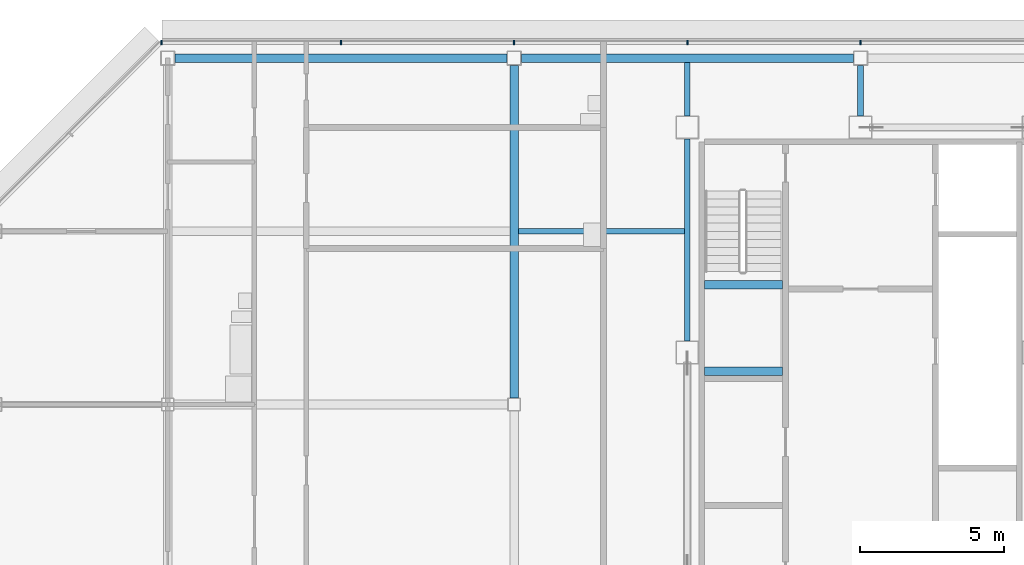
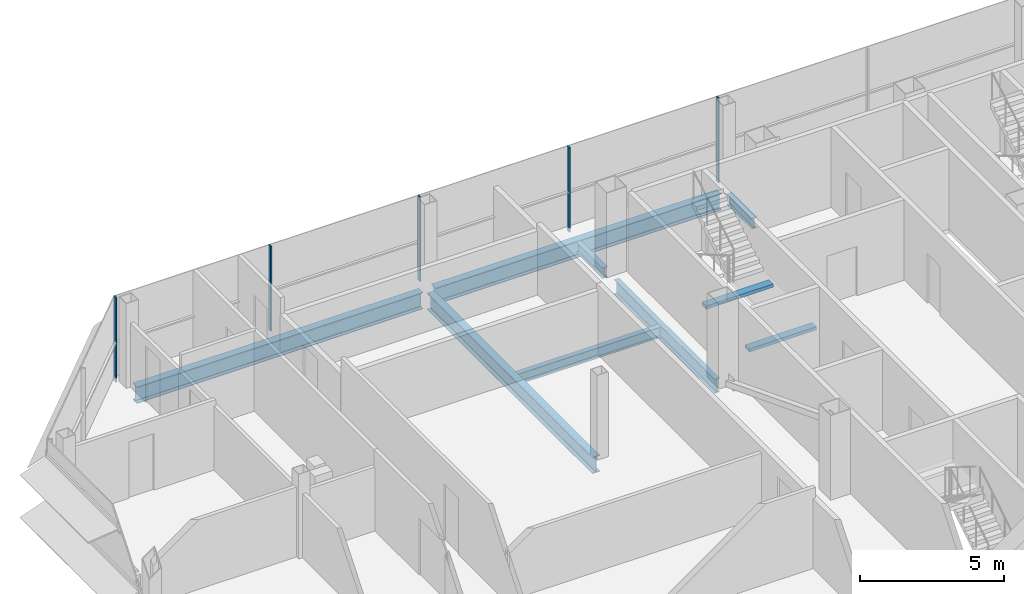
# One storey, part 14 of 27: 9 beams, 5 members, 1 element without a shape of its own.
"""IFC4 building model written with IfcOpenShell, lengths in metres."""

from ifc_helpers import new_model, si_unit, direction, frame, origin, origin_2d, place, context, subcontext, project, spatial, rectangle, i_section, extrude, material, material_profile, profile_set, type_object, element, aggregate, save


model = new_model("IFC4")

# Units and contexts
model_context = context("Model", 3, precision=1e-05, world=origin(), true_north=direction((0.0, 1.0)))
body_context = subcontext(model_context, "Body", "Model", "MODEL_VIEW")
ifc_project = project(units=[si_unit("LENGTHUNIT", "METRE"), si_unit("AREAUNIT", "SQUARE_METRE"), si_unit("VOLUMEUNIT", "CUBIC_METRE"), si_unit("PLANEANGLEUNIT", "RADIAN"), si_unit("MASSUNIT", "GRAM", prefix="KILO")], contexts=[model_context])

# Site, building, storey
site_placement = place(None, origin())
site = spatial("IfcSite", under=ifc_project, at=site_placement, CompositionType="ELEMENT")
building_placement = place(site_placement, origin())
building = spatial("IfcBuilding", under=site, at=building_placement, Name="Sorahane Residences", CompositionType="ELEMENT")
storey_placement = place(building_placement, frame((0.0, 0.0, 316.0)))
storey = spatial("IfcBuildingStorey", under=building, at=storey_placement, Name="L75", CompositionType="ELEMENT", Elevation=316.0)

# Curtain wall, members
ifc_material_1 = material(Name="Dark low-e glass and black anodised aluminium", Category="aluminium")
curtain_wall_type = type_object("IfcCurtainWallType", Name="Curtain wall CW-1 Typical unitised wall", PredefinedType="NOTDEFINED", material=ifc_material_1)
curtain_wall_placement = place(storey_placement, origin())
curtain_wall = element("IfcCurtainWall", 1, at=curtain_wall_placement, inside=storey, type_object=curtain_wall_type, Name="CW-1 curtain wall L75 N1", PredefinedType="NOTDEFINED")
ifc_material_2 = material(Name="Black anodised aluminium", Category="aluminium")
ifc_material_profile_1 = material_profile(ifc_material_2, rectangle(XDim=0.159912109375, YDim=0.050048828125, at=origin_2d()), Name="Curtain wall mullion CW-1 black anodised aluminium 50x160")
ifc_profile_set_1 = profile_set([ifc_material_profile_1], Name="Black anodised aluminium")
member_type = type_object("IfcMemberType", Name="Curtain wall mullion CW-1 black anodised aluminium 50x160", PredefinedType="MULLION", material=ifc_profile_set_1)
member_1_placement = place(storey_placement, frame((12.0, 48.5400390625, -0.179931640625), z_axis=(0.0, 0.0, 1.0), x_axis=(0.0, 1.0, 0.0)))
member_1 = element("IfcMember", 2, at=member_1_placement, type_object=member_type, Name="CW-1 mullion L75 N1.6", PredefinedType="MULLION", context=body_context, shape_type="SweptSolid", body=[
    extrude(rectangle(XDim=0.159912109375, YDim=0.050048828125, at=origin_2d()), origin(), (0.0, 0.0, 1.0), 3.599853515625),
])
member_2_placement = place(storey_placement, frame((6.0, 48.5400390625, -0.179931640625), z_axis=(0.0, 0.0, 1.0), x_axis=(0.0, 1.0, 0.0)))
member_2 = element("IfcMember", 3, at=member_2_placement, type_object=member_type, Name="CW-1 mullion L75 N1.7", PredefinedType="MULLION", context=body_context, shape_type="SweptSolid", body=[
    extrude(rectangle(XDim=0.159912109375, YDim=0.050048828125, at=origin_2d()), origin(), (0.0, 0.0, 1.0), 3.599853515625),
])
member_3_placement = place(storey_placement, frame((0.0, 48.5400390625, -0.179931640625), z_axis=(0.0, 0.0, 1.0), x_axis=(0.0, 1.0, 0.0)))
member_3 = element("IfcMember", 4, at=member_3_placement, type_object=member_type, Name="CW-1 mullion L75 N1.8", PredefinedType="MULLION", context=body_context, shape_type="SweptSolid", body=[
    extrude(rectangle(XDim=0.159912109375, YDim=0.050048828125, at=origin_2d()), origin(), (0.0, 0.0, 1.0), 3.599853515625),
])
member_4_placement = place(storey_placement, frame((-6.0, 48.5400390625, -0.179931640625), z_axis=(0.0, 0.0, 1.0), x_axis=(0.0, 1.0, 0.0)))
member_4 = element("IfcMember", 5, at=member_4_placement, type_object=member_type, Name="CW-1 mullion L75 N1.9", PredefinedType="MULLION", context=body_context, shape_type="SweptSolid", body=[
    extrude(rectangle(XDim=0.159912109375, YDim=0.050048828125, at=origin_2d()), origin(), (0.0, 0.0, 1.0), 3.599853515625),
])
member_5_placement = place(storey_placement, frame((-12.2236328125, 48.5400390625, -0.179931640625), z_axis=(0.0, 0.0, 1.0), x_axis=(0.0, 1.0, 0.0)))
member_5 = element("IfcMember", 6, at=member_5_placement, type_object=member_type, Name="CW-1 mullion L75 N1.10", PredefinedType="MULLION", context=body_context, shape_type="SweptSolid", body=[
    extrude(rectangle(XDim=0.159912109375, YDim=0.050048828125, at=origin_2d()), origin(), (0.0, 0.0, 1.0), 3.599853515625),
])
aggregate(curtain_wall, [member_1, member_2, member_3, member_4, member_5])

# Beams
ifc_material_3 = material(Name="Concrete C40", Category="concrete")
ifc_material_profile_2 = material_profile(ifc_material_3, rectangle(XDim=0.300048828125, YDim=0.139892578125, at=origin_2d()), Name="300x140")
ifc_profile_set_2 = profile_set([ifc_material_profile_2], Name="Concrete C40")
beam_type_1 = type_object("IfcBeamType", Name="RC landing beam 300 x 140 Concrete C40", PredefinedType="BEAM", material=ifc_profile_set_2)
for number, where, z_axis, x_axis, name in (
    (7, (6.60009765625, 37.14990234375, 1.530029296875), (1.0, 0.0, 0.0), (0.0, 1.0, 0.0), "Landing beam"),
    (8, (6.60009765625, 40.14990234375, 1.530029296875), (1.0, 0.0, 0.0), (0.0, 1.0, 0.0), "Landing beam"),
):
    element("IfcBeam", number, at=place(storey_placement, frame(where, z_axis=z_axis, x_axis=x_axis)), inside=storey, type_object=beam_type_1, Name=name, PredefinedType="BEAM", context=body_context, shape_type="SweptSolid", body=[
        extrude(rectangle(XDim=0.300048828125, YDim=0.139892578125, at=origin_2d()), origin(), (0.0, 0.0, 1.0), 2.699951171875),
    ])
ifc_material_4 = material(Name="Steel Q355B", Category="steel")
ifc_material_profile_3 = material_profile(ifc_material_4, i_section(OverallWidth=0.199951171875, OverallDepth=0.449951171875, WebThickness=0.009033203125, FlangeThickness=0.013916015625, FilletRadius=0.02001953125, at=origin_2d()), Name="HN 450x200x9x14")
ifc_profile_set_3 = profile_set([ifc_material_profile_3], Name="Steel Q355B")
beam_type_2 = type_object("IfcBeamType", Name="Steel floor beam HN 450x200x9x14 Q355B", PredefinedType="BEAM", material=ifc_profile_set_3)
beam_1_placement = place(storey_placement, frame((6.0, 46.0, -0.405029296875), z_axis=(0.0, 1.0, 0.0), x_axis=(-1.0, 0.0, 0.0)))
element("IfcBeam", 9, at=beam_1_placement, inside=storey, type_object=beam_type_2, Name="Beam L75 037", PredefinedType="BEAM", context=body_context, shape_type="SweptSolid", body=[
    extrude(i_section(OverallWidth=0.199951171875, OverallDepth=0.449951171875, WebThickness=0.009033203125, FlangeThickness=0.013916015625, FilletRadius=0.02001953125, at=origin_2d()), origin(), (0.0, 0.0, 1.0), 1.85009765625),
])
beam_2_placement = place(storey_placement, frame((12.0, 46.0, -0.405029296875), z_axis=(0.0, 1.0, 0.0), x_axis=(-1.0, 0.0, 0.0)))
element("IfcBeam", 10, at=beam_2_placement, inside=storey, type_object=beam_type_2, Name="Beam L75 039", PredefinedType="BEAM", context=body_context, shape_type="SweptSolid", body=[
    extrude(i_section(OverallWidth=0.199951171875, OverallDepth=0.449951171875, WebThickness=0.009033203125, FlangeThickness=0.013916015625, FilletRadius=0.02001953125, at=origin_2d()), origin(), (0.0, 0.0, 1.0), 1.75),
])
beam_3_placement = place(storey_placement, frame((0.14990234375, 42.0, -0.405029296875), z_axis=(1.0, 0.0, 0.0), x_axis=(0.0, 1.0, 0.0)))
element("IfcBeam", 11, at=beam_3_placement, inside=storey, type_object=beam_type_2, Name="Beam L75 089", PredefinedType="BEAM", context=body_context, shape_type="SweptSolid", body=[
    extrude(i_section(OverallWidth=0.199951171875, OverallDepth=0.449951171875, WebThickness=0.009033203125, FlangeThickness=0.013916015625, FilletRadius=0.02001953125, at=origin_2d()), origin(), (0.0, 0.0, 1.0), 5.75),
])
ifc_material_5 = material(Name="Steel Q355B", Category="steel")
ifc_material_profile_4 = material_profile(ifc_material_5, i_section(OverallWidth=0.199951171875, OverallDepth=0.60009765625, WebThickness=0.010986328125, FlangeThickness=0.01708984375, FilletRadius=0.02392578125, at=origin_2d()), Name="HN 600x200x11x17")
ifc_profile_set_4 = profile_set([ifc_material_profile_4], Name="Steel Q355B")
beam_type_3 = type_object("IfcBeamType", Name="Steel floor beam HN 600x200x11x17 Q355B", PredefinedType="BEAM", material=ifc_profile_set_4)
beam_4_placement = place(storey_placement, frame((6.0, 38.199951171875, -0.47998046875), z_axis=(0.0, 1.0, 0.0), x_axis=(-1.0, 0.0, 0.0)))
element("IfcBeam", 12, at=beam_4_placement, inside=storey, type_object=beam_type_3, Name="Beam L75 036", PredefinedType="BEAM", context=body_context, shape_type="SweptSolid", body=[
    extrude(i_section(OverallWidth=0.199951171875, OverallDepth=0.60009765625, WebThickness=0.010986328125, FlangeThickness=0.01708984375, FilletRadius=0.02392578125, at=origin_2d()), origin(), (0.0, 0.0, 1.0), 7.0),
])
ifc_material_6 = material(Name="Steel Q355B", Category="steel")
ifc_material_profile_5 = material_profile(ifc_material_6, i_section(OverallWidth=0.300048828125, OverallDepth=0.699951171875, WebThickness=0.012939453125, FlangeThickness=0.02392578125, FilletRadius=0.028076171875, at=origin_2d()), Name="HN 700x300x13x24")
ifc_profile_set_5 = profile_set([ifc_material_profile_5], Name="Steel Q355B")
beam_type_4 = type_object("IfcBeamType", Name="Steel floor beam HN 700x300x13x24 Q355B", PredefinedType="BEAM", material=ifc_profile_set_5)
for number, where, z_axis, x_axis, name in (
    (13, (-11.75, 48.0, -0.530029296875), (1.0, 0.0, 0.0), (0.0, 1.0, 0.0), "Beam L75 015"),
    (14, (0.25, 48.0, -0.530029296875), (1.0, 0.0, 0.0), (0.0, 1.0, 0.0), "Beam L75 016"),
):
    element("IfcBeam", number, at=place(storey_placement, frame(where, z_axis=z_axis, x_axis=x_axis)), inside=storey, type_object=beam_type_4, Name=name, PredefinedType="BEAM", context=body_context, shape_type="SweptSolid", body=[
        extrude(i_section(OverallWidth=0.300048828125, OverallDepth=0.699951171875, WebThickness=0.012939453125, FlangeThickness=0.02392578125, FilletRadius=0.028076171875, at=origin_2d()), origin(), (0.0, 0.0, 1.0), 11.5),
    ])
beam_5_placement = place(storey_placement, frame((0.0, 36.22509765625, -0.530029296875), z_axis=(0.0, 1.0, 0.0), x_axis=(-1.0, 0.0, 0.0)))
element("IfcBeam", 15, at=beam_5_placement, inside=storey, type_object=beam_type_4, Name="Beam L75 031", PredefinedType="BEAM", context=body_context, shape_type="SweptSolid", body=[
    extrude(i_section(OverallWidth=0.300048828125, OverallDepth=0.699951171875, WebThickness=0.012939453125, FlangeThickness=0.02392578125, FilletRadius=0.028076171875, at=origin_2d()), origin(), (0.0, 0.0, 1.0), 11.52490234375),
])

save(model, "model.ifc")
